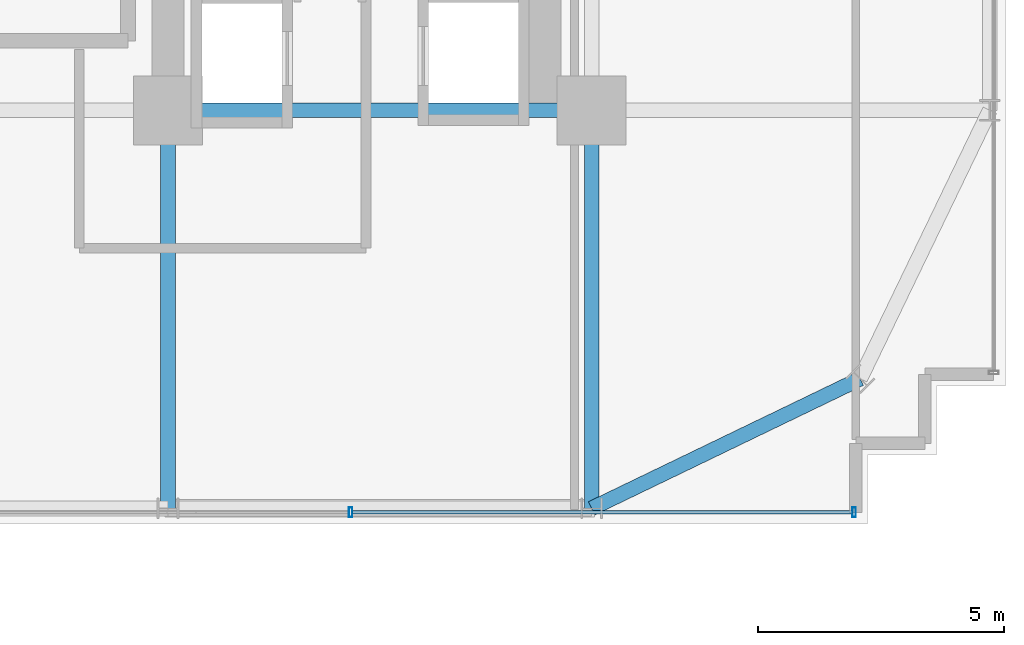
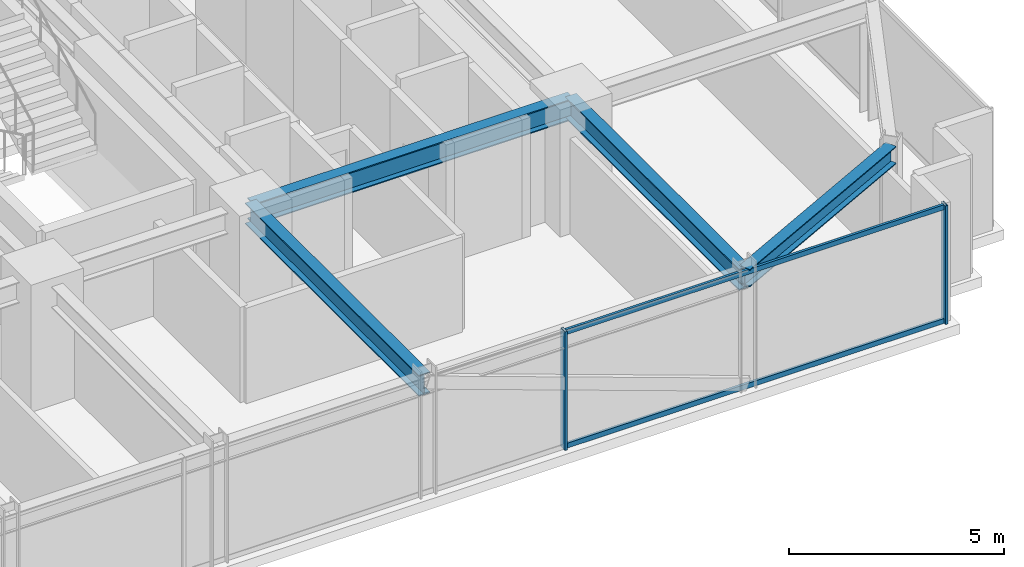
# One storey, part 12 of 35: 4 beams, 4 members, 1 element without a shape of its own.
"""IFC4 building model written with IfcOpenShell, lengths in metres."""

from ifc_helpers import new_model, si_unit, direction, frame, origin, origin_2d, place, context, subcontext, project, spatial, hollow_rectangle, i_section, extrude, source, transform, mapped, material, material_profile, profile_set, type_object, element, aggregate, save


model = new_model("IFC4")

# Units and contexts
model_context = context("Model", 3, precision=1e-05, world=origin(), true_north=direction((0.0, 1.0)))
body_context = subcontext(model_context, "Body", "Model", "MODEL_VIEW")
ifc_project = project(units=[si_unit("LENGTHUNIT", "METRE"), si_unit("AREAUNIT", "SQUARE_METRE"), si_unit("VOLUMEUNIT", "CUBIC_METRE"), si_unit("PLANEANGLEUNIT", "RADIAN"), si_unit("MASSUNIT", "GRAM", prefix="KILO")], contexts=[model_context])

# Site, building, storey
site_placement = place(None, origin())
site = spatial("IfcSite", under=ifc_project, at=site_placement, CompositionType="ELEMENT")
building_placement = place(site_placement, origin())
building = spatial("IfcBuilding", under=site, at=building_placement, Name="Nahalor Promenade Grand Hotel", CompositionType="ELEMENT")
storey_placement = place(building_placement, frame((0.0, 0.0, 43.35009765625)))
storey = spatial("IfcBuildingStorey", under=building, at=storey_placement, Name="L09", CompositionType="ELEMENT", Elevation=43.35009765625)

# Beams
ifc_material_1 = material(Name="Steel S355JR", Category="steel")
ifc_material_profile_1 = material_profile(ifc_material_1, i_section(OverallWidth=0.3, OverallDepth=0.6, WebThickness=0.0155, FlangeThickness=0.03, at=origin_2d()), Name="HEB 600")
ifc_profile_set_1 = profile_set([ifc_material_profile_1], Name="Steel S355JR")
beam_type_1 = type_object("IfcBeamType", Name="Beam-Girder-HEB600", PredefinedType="BEAM", material=ifc_profile_set_1)
shared_shape_1 = source(origin(), body_context, "Body", "SweptSolid", [
    extrude(i_section(OverallWidth=0.3, OverallDepth=0.6, WebThickness=0.0155, FlangeThickness=0.03, at=origin_2d()), origin(), (0.0, 0.0, 1.0), 8.60009765625),
])
beam_1_placement = place(storey_placement, frame((8.39990234375, -17.0, 3.06982421875), z_axis=(1.0, 0.0, 0.0), x_axis=(0.0, 1.0, 0.0)))
element("IfcBeam", 1, at=beam_1_placement, inside=storey, type_object=beam_type_1, Name="BM-L09-GX-0-5", PredefinedType="BEAM", context=body_context, shape_type="MappedRepresentation", body=[
    mapped(shared_shape_1, transform((0.0, 0.0, 0.0), scale=1.0)),
])
shared_shape_2 = source(origin(), body_context, "Body", "SweptSolid", [
    extrude(i_section(OverallWidth=0.3, OverallDepth=0.6, WebThickness=0.0155, FlangeThickness=0.03, at=origin_2d()), origin(), (0.0, 0.0, 1.0), 8.080078125),
])
for number, where, z_axis, x_axis, name in (
    (2, (8.39990234375, -25.080078125, 3.06982421875), (0.0, 1.0, 0.0), (-1.0, 0.0, 0.0), "BM-L09-GY-4-0"),
    (3, (17.0, -25.080078125, 3.06982421875), (0.0, 1.0, 0.0), (-1.0, 0.0, 0.0), "BM-L09-GY-5-0"),
):
    element("IfcBeam", number, at=place(storey_placement, frame(where, z_axis=z_axis, x_axis=x_axis)), inside=storey, type_object=beam_type_1, Name=name, PredefinedType="BEAM", context=body_context, shape_type="MappedRepresentation", body=[
        mapped(shared_shape_2, transform((0.0, 0.0, 0.0), scale=1.0)),
    ])
ifc_material_profile_2 = material_profile(ifc_material_1, i_section(OverallWidth=0.3, OverallDepth=0.5, WebThickness=0.0145, FlangeThickness=0.028, at=origin_2d()), Name="HEB 500")
ifc_profile_set_2 = profile_set([ifc_material_profile_2], Name="Steel S355JR")
beam_type_2 = type_object("IfcBeamType", Name="Beam-Spandrel-HEB500", PredefinedType="SPANDREL", material=ifc_profile_set_2)
shared_shape_3 = source(origin(), body_context, "Body", "SweptSolid", [
    extrude(i_section(OverallWidth=0.3, OverallDepth=0.5, WebThickness=0.0145, FlangeThickness=0.028, at=origin_2d()), origin(), (0.0, 0.0, 1.0), 6.051513671875),
])
beam_2_placement = place(storey_placement, frame((17.0, -25.080078125, 3.119873046875), z_axis=(0.900608818852, 0.434630596492, 0.0), x_axis=(-0.434630596492, 0.900608818852, 0.0)))
element("IfcBeam", 4, at=beam_2_placement, inside=storey, type_object=beam_type_2, Name="BM-L09-SPC-SE-1", PredefinedType="SPANDREL", context=body_context, shape_type="MappedRepresentation", body=[
    mapped(shared_shape_3, transform((0.0, 0.0, 0.0), scale=1.0)),
])

# Curtain wall, members
ifc_material_2 = material(Name="Anodised Bronze Aluminium EN AW-6063 T6", Category="aluminium")
curtain_wall_type = type_object("IfcCurtainWallType", Name="CW3 Elliptical-Void Collar Unitised Curtain Wall", PredefinedType="USERDEFINED", material=ifc_material_2)
curtain_wall_placement = place(storey_placement, origin())
curtain_wall = element("IfcCurtainWall", 5, at=curtain_wall_placement, inside=storey, type_object=curtain_wall_type, Name="L09 Curtain Wall CW-L09-S-3", ObjectType="UNITISED_CURTAIN_WALL", PredefinedType="USERDEFINED")
ifc_material_profile_3 = material_profile(ifc_material_2, hollow_rectangle(XDim=0.07, YDim=0.2, WallThickness=0.005, at=origin_2d()), Name="CWM 70x200x5")
ifc_profile_set_3 = profile_set([ifc_material_profile_3], Name="Anodised Bronze Aluminium EN AW-6063 T6")
member_type_1 = type_object("IfcMemberType", Name="CWM3 Void Collar Mullion 70x200", PredefinedType="MULLION", material=ifc_profile_set_3)
shared_shape_4 = source(origin(), body_context, "Body", "SweptSolid", [
    extrude(hollow_rectangle(XDim=0.07, YDim=0.2, WallThickness=0.005, at=origin_2d()), origin(), (0.0, 0.0, 1.0), 3.369873046875),
])
member_1_placement = place(storey_placement, frame((12.106689453125, -25.159912109375, 0.0), z_axis=(0.0, 0.0, 1.0), x_axis=(1.0, 0.0, 0.0)))
member_1 = element("IfcMember", 6, at=member_1_placement, type_object=member_type_1, Name="CW-L09-S-3 Mullion 2", PredefinedType="MULLION", context=body_context, shape_type="MappedRepresentation", body=[
    mapped(shared_shape_4, transform((0.0, 0.0, 0.0), scale=1.0)),
])
member_2_placement = place(storey_placement, frame((22.324951171875, -25.159912109375, 0.0), z_axis=(0.0, 0.0, 1.0), x_axis=(1.0, 0.0, 0.0)))
member_2 = element("IfcMember", 7, at=member_2_placement, type_object=member_type_1, Name="CW-L09-S-3 Mullion 3", PredefinedType="MULLION", context=body_context, shape_type="MappedRepresentation", body=[
    mapped(shared_shape_4, transform((0.0, 0.0, 0.0), scale=1.0)),
])
ifc_material_profile_4 = material_profile(ifc_material_2, hollow_rectangle(XDim=0.07, YDim=0.14, WallThickness=0.004, at=origin_2d()), Name="CWT 70x140x4")
ifc_profile_set_4 = profile_set([ifc_material_profile_4], Name="Anodised Bronze Aluminium EN AW-6063 T6")
member_type_2 = type_object("IfcMemberType", Name="CWT3 Void Collar Transom 70x140", PredefinedType="USERDEFINED", material=ifc_profile_set_4)
shared_shape_5 = source(origin(), body_context, "Body", "SweptSolid", [
    extrude(hollow_rectangle(XDim=0.07, YDim=0.14, WallThickness=0.004, at=origin_2d()), origin(), (0.0, 0.0, 1.0), 10.1484375),
])
member_3_placement = place(storey_placement, frame((12.1416015625, -25.159912109375, 0.06982421875), z_axis=(1.0, 0.0, 0.0), x_axis=(0.0, 1.0, 0.0)))
member_3 = element("IfcMember", 8, at=member_3_placement, type_object=member_type_2, Name="CW-L09-S-3 Transom 2-0", ObjectType="TRANSOM", PredefinedType="USERDEFINED", context=body_context, shape_type="MappedRepresentation", body=[
    mapped(shared_shape_5, transform((0.0, 0.0, 0.0), scale=1.0)),
])
member_4_placement = place(storey_placement, frame((12.1416015625, -25.159912109375, 3.2998046875), z_axis=(1.0, 0.0, 0.0), x_axis=(0.0, 1.0, 0.0)))
member_4 = element("IfcMember", 9, at=member_4_placement, type_object=member_type_2, Name="CW-L09-S-3 Transom 2-1", ObjectType="TRANSOM", PredefinedType="USERDEFINED", context=body_context, shape_type="MappedRepresentation", body=[
    mapped(shared_shape_5, transform((0.0, 0.0, 0.0), scale=1.0)),
])
aggregate(curtain_wall, [member_1, member_2, member_3, member_4])

save(model, "model.ifc")
